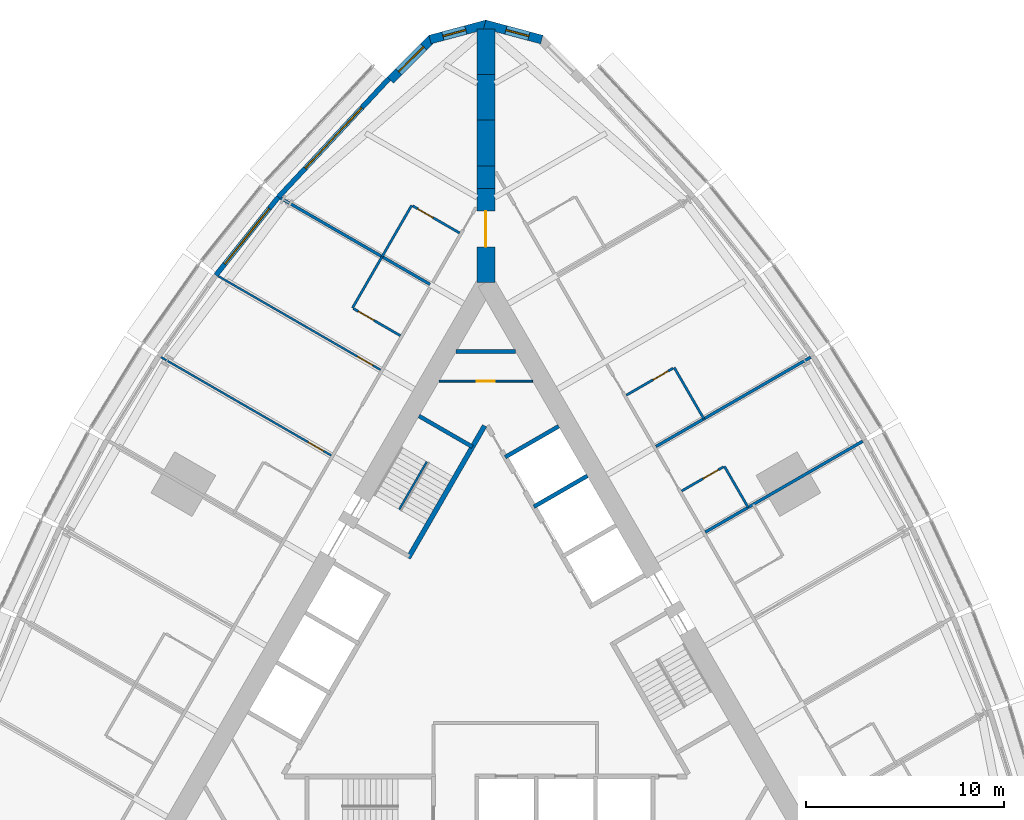
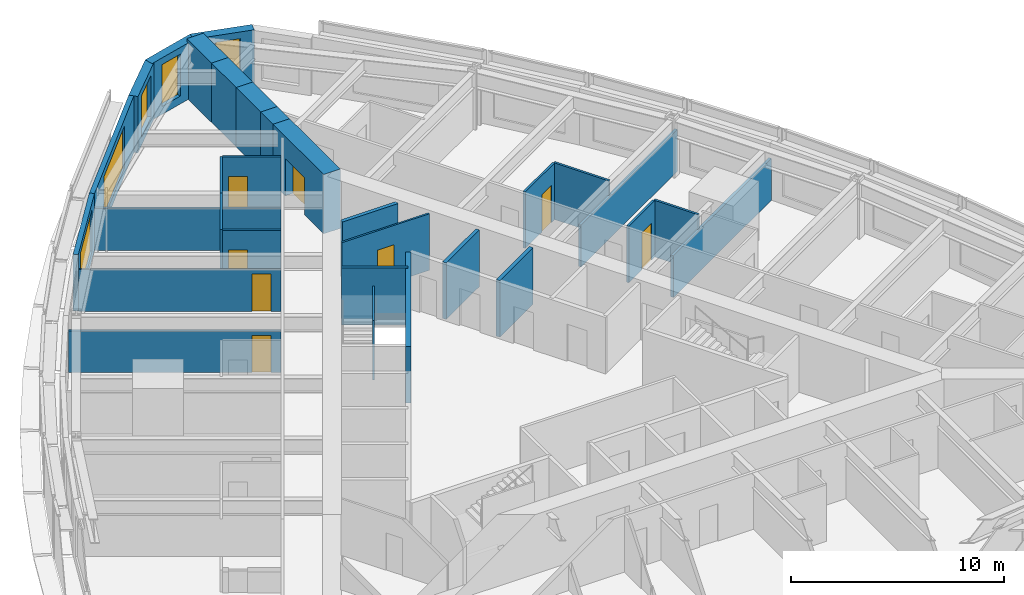
# One storey, part 12 of 14: 30 walls, 8 doors, 5 windows, 13 openings.
"""IFC4 building model written with IfcOpenShell, lengths in metres."""

import ifcopenshell
import ifcopenshell.guid

model = None  # the IFC model being written
_history = None  # IfcOwnerHistory: only IFC2X3 demands one
_inside = {}  # id of a spatial element -> (the spatial element, [elements in it])
_under = {}  # id of a project, library or spatial element -> (it, [spatial elements below it])
_declared = {}  # id of a project -> (the project, [libraries it declares])
_typed = {}  # id of a type object -> (the type object, [elements of that type])
_made_of = {}  # id of a material, layer set ... -> (it, [elements and type objects made of it])


def new_model(schema):
    """Start an empty IFC model of exactly this schema.

    Asked for "IFC4X3", IfcOpenShell would pick the latest addendum, in which some entities
    have other attributes; the version numbers below select the first issue.
    IFC2X3 requires an IfcOwnerHistory on every rooted entity: one is made here for all.
    """
    global model, _history
    if schema == "IFC4X3":
        model = ifcopenshell.file(schema_version=(4, 3, 0, 0))
    else:
        model = ifcopenshell.file(schema=schema)
    _inside.clear()
    _under.clear()
    _declared.clear()
    _typed.clear()
    _made_of.clear()
    _history = None
    if model.schema == "IFC2X3":
        org = make("IfcOrganization", Name="unknown")
        user = make(
            "IfcPersonAndOrganization",
            ThePerson=make("IfcPerson", FamilyName="unknown"),
            TheOrganization=org,
        )
        app = make(
            "IfcApplication",
            ApplicationDeveloper=org,
            Version="unknown",
            ApplicationFullName="unknown",
            ApplicationIdentifier="unknown",
        )
        _history = make(
            "IfcOwnerHistory",
            OwningUser=user,
            OwningApplication=app,
            ChangeAction="ADDED",
            CreationDate=0,
        )
    return model


def make(cls, **values):
    """One entity of the class cls with the attributes given. An attribute that is None is left unset."""
    return model.create_entity(
        cls, **{name: value for name, value in values.items() if value is not None}
    )


def rooted(cls, **values):
    """An entity with a GlobalId (a new one), such as an element, a storey or a relation."""
    return make(cls, GlobalId=ifcopenshell.guid.new(), OwnerHistory=_history, **values)


def si_unit(unit_type, name, prefix=None):
    """IfcSIUnit, for example si_unit("LENGTHUNIT", "METRE", prefix="MILLI")."""
    return make("IfcSIUnit", UnitType=unit_type, Prefix=prefix, Name=name)


def assignment(units):
    """IfcUnitAssignment: the units of a project."""
    return None if units is None else make("IfcUnitAssignment", Units=units)


def point(xyz):
    """IfcCartesianPoint."""
    return None if xyz is None else make("IfcCartesianPoint", Coordinates=xyz)


def direction(xyz):
    """IfcDirection."""
    return None if xyz is None else make("IfcDirection", DirectionRatios=xyz)


def frame(location, z_axis=None, x_axis=None):
    """IfcAxis2Placement3D, a coordinate frame: its origin and axes. An axis left out is left unset."""
    return make(
        "IfcAxis2Placement3D",
        Location=point(location),
        Axis=direction(z_axis),
        RefDirection=direction(x_axis),
    )


def frame_2d(location, x_axis=None):
    """IfcAxis2Placement2D, a coordinate frame in the plane: its origin and x axis."""
    return make(
        "IfcAxis2Placement2D", Location=point(location), RefDirection=direction(x_axis)
    )


def origin():
    """The frame at (0, 0, 0) with its axes left unset."""
    return frame((0.0, 0.0, 0.0))


def place(relative_to, where):
    """IfcLocalPlacement: puts the frame where relative to a parent placement (None: the world)."""
    return make(
        "IfcLocalPlacement", PlacementRelTo=relative_to, RelativePlacement=where
    )


def context(
    kind, dimensions, precision=None, world=None, true_north=None, identifier=None
):
    """IfcGeometricRepresentationContext, for example the 3D "Model" context."""
    return make(
        "IfcGeometricRepresentationContext",
        ContextIdentifier=identifier,
        ContextType=kind,
        CoordinateSpaceDimension=dimensions,
        Precision=precision,
        WorldCoordinateSystem=world,
        TrueNorth=true_north,
    )


def subcontext(parent, identifier, kind, view, scale=None):
    """IfcGeometricRepresentationSubContext, for example "Body" below "Model"."""
    return make(
        "IfcGeometricRepresentationSubContext",
        ContextIdentifier=identifier,
        ContextType=kind,
        ParentContext=parent,
        TargetScale=scale,
        TargetView=view,
    )


def project(units=None, contexts=None):
    """IfcProject with its units and contexts."""
    return rooted(
        "IfcProject",
        Name="project",
        RepresentationContexts=contexts,
        UnitsInContext=assignment(units),
    )


def spatial(cls, under=None, at=None, **own):
    """A site, building, storey or space (cls), placed at a placement, below another one or the project."""
    s = rooted(cls, ObjectPlacement=at, **own)
    if under is not None:
        _under.setdefault(under.id(), (under, []))[1].append(s)
    return s


def polyline(points):
    """IfcPolyline through the points."""
    return make("IfcPolyline", Points=[point(p) for p in points])


def profile(cls, at=None, kind="AREA", **sizes):
    """A parametric profile (cls). Its sizes go by their IFC names, for example OverallWidth=200.0."""
    return make(cls, ProfileType=kind, Position=at, **sizes)


def rectangle(**sizes):
    """IfcRectangleProfileDef."""
    return profile("IfcRectangleProfileDef", **sizes)


def outline(outer, holes=None, kind="AREA"):
    """IfcArbitraryClosedProfileDef: a profile drawn as a closed curve; with holes, ...WithVoids."""
    if holes is None:
        return make("IfcArbitraryClosedProfileDef", ProfileType=kind, OuterCurve=outer)
    return make(
        "IfcArbitraryProfileDefWithVoids",
        ProfileType=kind,
        OuterCurve=outer,
        InnerCurves=holes,
    )


def extrude(swept, where, along, depth):
    """IfcExtrudedAreaSolid: the profile swept, set in the frame where, extruded along a direction by depth."""
    return make(
        "IfcExtrudedAreaSolid",
        SweptArea=swept,
        Position=where,
        ExtrudedDirection=direction(along),
        Depth=depth,
    )


def shape(context_of_items, identifier, shape_type, items):
    """IfcShapeRepresentation: the items that make up one representation, for example the "Body"."""
    return make(
        "IfcShapeRepresentation",
        ContextOfItems=context_of_items,
        RepresentationIdentifier=identifier,
        RepresentationType=shape_type,
        Items=items,
    )


def material(Name=None, Category=None):
    """IfcMaterial."""
    return make("IfcMaterial", Name=Name, Category=Category)


def layer(
    of_material, thickness, ventilated=None, Name=None, Category=None, Priority=None
):
    """IfcMaterialLayer: one layer of a wall or slab, of a material (None: an air gap)."""
    return make(
        "IfcMaterialLayer",
        Material=of_material,
        LayerThickness=thickness,
        IsVentilated=ventilated,
        Name=Name,
        Category=Category,
        Priority=Priority,
    )


def layer_set(layers, Name=None):
    """IfcMaterialLayerSet."""
    return make("IfcMaterialLayerSet", MaterialLayers=layers, LayerSetName=Name)


def made_of(thing, what):
    """Note that an element or type object is made of a material, layer set ...; save() writes the relation."""
    if what is not None:
        _made_of.setdefault(what.id(), (what, []))[1].append(thing)
    return thing


def type_object(cls, material=None, **own):
    """A type object (cls), such as IfcWallType, which elements share."""
    return made_of(rooted(cls, **own), material)


def element(
    cls,
    number,
    at=None,
    inside=None,
    cuts=None,
    type_object=None,
    material=None,
    context=None,
    identifier="Body",
    shape_type=None,
    held_by="IfcProductDefinitionShape",
    body=None,
    shapes=None,
    **own,
):
    """One element of the class cls, such as IfcWall. Its Tag is "e" and its number.

    at: its placement. inside: the storey or other place that contains it. cuts: it is an
    opening in that element (IfcRelVoidsElement). A single representation is given by context,
    identifier, shape_type and body (its items); several are given by shapes. held_by: the class
    of the entity that holds the representations. save() writes the other relations.
    """
    e = rooted(cls, Tag="e%d" % number, ObjectPlacement=at, **own)
    if body is not None:
        shapes = [shape(context, identifier, shape_type, body)]
    if shapes is not None:
        e.Representation = make(held_by, Representations=shapes)
    if inside is not None:
        _inside.setdefault(inside.id(), (inside, []))[1].append(e)
    if cuts is not None:
        rooted(
            "IfcRelVoidsElement", RelatingBuildingElement=cuts, RelatedOpeningElement=e
        )
    if type_object is not None:
        _typed.setdefault(type_object.id(), (type_object, []))[1].append(e)
    return made_of(e, material)


def fill(opening, filler):
    """IfcRelFillsElement: the door or window that sits in an opening."""
    return rooted(
        "IfcRelFillsElement",
        RelatingOpeningElement=opening,
        RelatedBuildingElement=filler,
    )


def aggregate(whole, parts):
    """IfcRelAggregates: a whole, such as a stair, and the parts it consists of."""
    return rooted("IfcRelAggregates", RelatingObject=whole, RelatedObjects=parts)


def save(model, path):
    """Write the relations noted so far, then the file.

    IfcRelAggregates (storeys below a building ...), IfcRelContainedInSpatialStructure (elements
    in a storey), IfcRelDefinesByType, IfcRelAssociatesMaterial and IfcRelDeclares: one each for
    every whole, place, type object, material and project.
    """
    for whole, parts in _under.values():
        aggregate(whole, parts)
    for where, things in _inside.values():
        rooted(
            "IfcRelContainedInSpatialStructure",
            RelatedElements=things,
            RelatingStructure=where,
        )
    for kind, things in _typed.values():
        rooted("IfcRelDefinesByType", RelatedObjects=things, RelatingType=kind)
    for what, things in _made_of.values():
        rooted("IfcRelAssociatesMaterial", RelatedObjects=things, RelatingMaterial=what)
    for by, libraries in _declared.values():
        rooted("IfcRelDeclares", RelatingContext=by, RelatedDefinitions=libraries)
    model.write(path)


model = new_model("IFC4")

# Units and contexts
model_context = context("Model", 3, precision=1e-05, world=origin(), true_north=direction((0.0, 1.0)))
body_context = subcontext(model_context, "Body", "Model", "MODEL_VIEW")
ifc_project = project(units=[si_unit("LENGTHUNIT", "METRE"), si_unit("AREAUNIT", "SQUARE_METRE"), si_unit("VOLUMEUNIT", "CUBIC_METRE"), si_unit("PLANEANGLEUNIT", "RADIAN"), si_unit("MASSUNIT", "GRAM", prefix="KILO")], contexts=[model_context])

# Site, building, storey
site_placement = place(None, origin())
site = spatial("IfcSite", under=ifc_project, at=site_placement, CompositionType="ELEMENT")
building_placement = place(site_placement, origin())
building = spatial("IfcBuilding", under=site, at=building_placement, Name="Trikona Tower", CompositionType="ELEMENT")
storey_placement = place(building_placement, frame((0.0, 0.0, 86.300048828125)))
storey = spatial("IfcBuildingStorey", under=building, at=storey_placement, Name="L22", CompositionType="ELEMENT", Elevation=86.300048828125)

# Wall
ifc_material_1 = material(Name="Metal stud and cement board", Category="gypsum")
ifc_layer_1 = layer(ifc_material_1, 0.1201171875)
ifc_layer_set_1 = layer_set([ifc_layer_1], Name="Bathroom wall 120")
wall_type_1 = type_object("IfcWallType", Name="Bathroom wall 120", PredefinedType="PLUMBINGWALL", material=ifc_layer_set_1)
wall_1_placement = place(storey_placement, frame((13.27294921875, 7.6630859375, 0.0), z_axis=(0.0, 0.0, 1.0), x_axis=(-0.499957262057, 0.866050077142, 0.0)))
element("IfcWall", 1, at=wall_1_placement, inside=storey, type_object=wall_type_1, Name="Bathroom wall 2210", PredefinedType="PLUMBINGWALL", context=body_context, shape_type="SweptSolid", body=[
    extrude(rectangle(XDim=2.400146484375, YDim=0.1201171875, at=frame_2d((1.2001953125, 0.0))), origin(), (0.0, 0.0, 1.0), 3.23486328125),
])

# Wall, opening, door
wall_2_placement = place(storey_placement, frame((9.907958984375, 8.49169921875, 0.0), z_axis=(0.0, 0.0, 1.0), x_axis=(0.866023955769, 0.500002508028, 0.0)))
wall_2 = element("IfcWall", 2, at=wall_2_placement, inside=storey, type_object=wall_type_1, Name="Bathroom wall 2210", PredefinedType="PLUMBINGWALL", context=body_context, shape_type="SweptSolid", body=[
    extrude(rectangle(XDim=2.43994140625, YDim=0.1201171875, at=frame_2d((1.219970703125, 0.0))), origin(), (0.0, 0.0, 1.0), 3.23486328125),
])
opening_1_placement = place(wall_2_placement, frame((1.25, 0.0, 0.0)))
opening_1 = element("IfcOpeningElement", 3, at=opening_1_placement, cuts=wall_2, Name="Opening D2", PredefinedType="OPENING", context=body_context, shape_type="SweptSolid", body=[
    extrude(rectangle(XDim=0.89990234375, YDim=2.1298828125, at=frame_2d((0.449951171875, 1.06494140625))), frame((0.0, 0.070068359375, 0.0), z_axis=(0.0, -1.0, 0.0), x_axis=(1.0, 0.0, 0.0)), (0.0, 0.0, 1.0), 0.14013671875),
])
ifc_material_2 = material(Name="Steel door frame with solid-core timber leaf", Category="steel")
door_type_1 = type_object("IfcDoorType", Name="Bathroom door 900x2130", OperationType="SLIDING_TO_LEFT", PredefinedType="DOOR", material=ifc_material_2)
door_1_placement = place(opening_1_placement, origin())
door_1 = element("IfcDoor", 4, at=door_1_placement, inside=storey, type_object=door_type_1, Name="Bathroom door 2210", OperationType="SLIDING_TO_LEFT", OverallHeight=2.1298828125, OverallWidth=0.89990234375, PredefinedType="DOOR", context=body_context, shape_type="SweptSolid", body=[
    extrude(rectangle(XDim=0.89990234375, YDim=2.1298828125, at=frame_2d((0.449951171875, 1.06494140625))), frame((0.0, 0.02490234375, 0.0), z_axis=(0.0, -1.0, 0.0), x_axis=(1.0, 0.0, 0.0)), (0.0, 0.0, 1.0), 0.050048828125),
])
fill(opening_1, door_1)

# Wall
wall_3_placement = place(storey_placement, frame((11.03271484375, 12.143310546875, 0.0), z_axis=(0.0, 0.0, 1.0), x_axis=(-0.50002537861, 0.866010750942, 0.0)))
element("IfcWall", 5, at=wall_3_placement, inside=storey, type_object=wall_type_1, Name="Bathroom wall 2211", PredefinedType="PLUMBINGWALL", context=body_context, shape_type="SweptSolid", body=[
    extrude(rectangle(XDim=2.999755859375, YDim=0.1201171875, at=frame_2d((1.5, 0.0))), origin(), (0.0, 0.0, 1.0), 3.23486328125),
])

# Wall, opening, door
wall_4_placement = place(storey_placement, frame((7.10791015625, 13.34130859375, 0.0), z_axis=(0.0, 0.0, 1.0), x_axis=(0.866035715982, 0.499982138324, 0.0)))
wall_4 = element("IfcWall", 6, at=wall_4_placement, inside=storey, type_object=wall_type_1, Name="Bathroom wall 2211", PredefinedType="PLUMBINGWALL", context=body_context, shape_type="SweptSolid", body=[
    extrude(rectangle(XDim=2.73974609375, YDim=0.1201171875, at=frame_2d((1.369873046875, 0.0))), origin(), (0.0, 0.0, 1.0), 3.23486328125),
])
opening_2_placement = place(wall_4_placement, frame((1.550048828125, 0.0, 0.0)))
opening_2 = element("IfcOpeningElement", 7, at=opening_2_placement, cuts=wall_4, Name="Opening D2", PredefinedType="OPENING", context=body_context, shape_type="SweptSolid", body=[
    extrude(rectangle(XDim=0.89990234375, YDim=2.1298828125, at=frame_2d((0.449951171875, 1.06494140625))), frame((0.0, 0.070068359375, 0.0), z_axis=(0.0, -1.0, 0.0), x_axis=(1.0, 0.0, 0.0)), (0.0, 0.0, 1.0), 0.14013671875),
])
door_2_placement = place(opening_2_placement, origin())
door_2 = element("IfcDoor", 8, at=door_2_placement, inside=storey, type_object=door_type_1, Name="Bathroom door 2211", OperationType="SLIDING_TO_LEFT", OverallHeight=2.1298828125, OverallWidth=0.89990234375, PredefinedType="DOOR", context=body_context, shape_type="SweptSolid", body=[
    extrude(rectangle(XDim=0.89990234375, YDim=2.1298828125, at=frame_2d((0.449951171875, 1.06494140625))), frame((0.0, 0.02490234375, 0.0), z_axis=(0.0, -1.0, 0.0), x_axis=(1.0, 0.0, 0.0)), (0.0, 0.0, 1.0), 0.050048828125),
])
fill(opening_2, door_2)

# Wall
wall_5_placement = place(storey_placement, frame((-3.75341796875, 22.95166015625, 0.0), z_axis=(0.0, 0.0, 1.0), x_axis=(-0.499990139034, -0.866031096941, 0.0)))
element("IfcWall", 9, at=wall_5_placement, inside=storey, type_object=wall_type_1, Name="Bathroom wall 2213", PredefinedType="PLUMBINGWALL", context=body_context, shape_type="SweptSolid", body=[
    extrude(rectangle(XDim=3.0, YDim=0.1201171875, at=frame_2d((1.5, 0.0))), origin(), (0.0, 0.0, 1.0), 3.23486328125),
])

# Wall, opening, door
wall_6_placement = place(storey_placement, frame((-1.32861328125, 21.551513671875, 0.0), z_axis=(0.0, 0.0, 1.0), x_axis=(-0.865997131366, 0.500048966069, 0.0)))
wall_6 = element("IfcWall", 10, at=wall_6_placement, inside=storey, type_object=wall_type_1, Name="Bathroom wall 2213", PredefinedType="PLUMBINGWALL", context=body_context, shape_type="SweptSolid", body=[
    extrude(rectangle(XDim=2.739990234375, YDim=0.1201171875, at=frame_2d((1.3701171875, 0.0))), origin(), (0.0, 0.0, 1.0), 3.23486328125),
])
opening_3_placement = place(wall_6_placement, frame((1.550048828125, 0.0, 0.0)))
opening_3 = element("IfcOpeningElement", 11, at=opening_3_placement, cuts=wall_6, Name="Opening D2", PredefinedType="OPENING", context=body_context, shape_type="SweptSolid", body=[
    extrude(rectangle(XDim=0.89990234375, YDim=2.1298828125, at=frame_2d((0.449951171875, 1.06494140625))), frame((0.0, 0.070068359375, 0.0), z_axis=(0.0, -1.0, 0.0), x_axis=(1.0, 0.0, 0.0)), (0.0, 0.0, 1.0), 0.14013671875),
])
door_3_placement = place(opening_3_placement, origin())
door_3 = element("IfcDoor", 12, at=door_3_placement, inside=storey, type_object=door_type_1, Name="Bathroom door 2213", OperationType="SLIDING_TO_LEFT", OverallHeight=2.1298828125, OverallWidth=0.89990234375, PredefinedType="DOOR", context=body_context, shape_type="SweptSolid", body=[
    extrude(rectangle(XDim=0.89990234375, YDim=2.1298828125, at=frame_2d((0.449951171875, 1.06494140625))), frame((0.0, 0.02490234375, 0.0), z_axis=(0.0, -1.0, 0.0), x_axis=(1.0, 0.0, 0.0)), (0.0, 0.0, 1.0), 0.050048828125),
])
fill(opening_3, door_3)

# Wall
wall_7_placement = place(storey_placement, frame((-5.25341796875, 20.353515625, 0.0), z_axis=(0.0, 0.0, 1.0), x_axis=(-0.499990139034, -0.866031096941, 0.0)))
element("IfcWall", 13, at=wall_7_placement, inside=storey, type_object=wall_type_1, Name="Bathroom wall 2214.1", PredefinedType="PLUMBINGWALL", context=body_context, shape_type="SweptSolid", body=[
    extrude(rectangle(XDim=3.0, YDim=0.1201171875, at=frame_2d((1.5, 0.0))), origin(), (0.0, 0.0, 1.0), 3.23486328125),
])

# Wall, opening, door
wall_8_placement = place(storey_placement, frame((-4.32861328125, 16.35546875, 0.0), z_axis=(0.0, 0.0, 1.0), x_axis=(-0.866035715982, 0.499982138324, 0.0)))
wall_8 = element("IfcWall", 14, at=wall_8_placement, inside=storey, type_object=wall_type_1, Name="Bathroom wall 2214.1", PredefinedType="PLUMBINGWALL", context=body_context, shape_type="SweptSolid", body=[
    extrude(rectangle(XDim=2.73974609375, YDim=0.1201171875, at=frame_2d((1.369873046875, 0.0))), origin(), (0.0, 0.0, 1.0), 3.23486328125),
])
opening_4_placement = place(wall_8_placement, frame((1.550048828125, 0.0, 0.0)))
opening_4 = element("IfcOpeningElement", 15, at=opening_4_placement, cuts=wall_8, Name="Opening D2", PredefinedType="OPENING", context=body_context, shape_type="SweptSolid", body=[
    extrude(rectangle(XDim=0.89990234375, YDim=2.1298828125, at=frame_2d((0.449951171875, 1.06494140625))), frame((0.0, 0.070068359375, 0.0), z_axis=(0.0, -1.0, 0.0), x_axis=(1.0, 0.0, 0.0)), (0.0, 0.0, 1.0), 0.14013671875),
])
door_4_placement = place(opening_4_placement, origin())
door_4 = element("IfcDoor", 16, at=door_4_placement, inside=storey, type_object=door_type_1, Name="Bathroom door 2214.1", OperationType="SLIDING_TO_LEFT", OverallHeight=2.1298828125, OverallWidth=0.89990234375, PredefinedType="DOOR", context=body_context, shape_type="SweptSolid", body=[
    extrude(rectangle(XDim=0.89990234375, YDim=2.1298828125, at=frame_2d((0.449951171875, 1.06494140625))), frame((0.0, 0.02490234375, 0.0), z_axis=(0.0, -1.0, 0.0), x_axis=(1.0, 0.0, 0.0)), (0.0, 0.0, 1.0), 0.050048828125),
])
fill(opening_4, door_4)

# Wall, opening, window
ifc_material_3 = material(Name="Brick-faced precast concrete", Category="masonry")
ifc_layer_2 = layer(ifc_material_3, 0.449951171875)
ifc_layer_set_2 = layer_set([ifc_layer_2], Name="Brick-faced corner wall 450")
wall_type_2 = type_object("IfcWallType", Name="Brick-faced corner wall 450", PredefinedType="SOLIDWALL", material=ifc_layer_set_2)
wall_9_placement = place(storey_placement, frame((2.82861328125, 31.3408203125, 0.0), z_axis=(0.0, 0.0, 1.0), x_axis=(-0.965930548995, 0.258801419081, 0.0)))
wall_9 = element("IfcWall", 17, at=wall_9_placement, inside=storey, type_object=wall_type_2, Name="External wall L22-21", PredefinedType="SOLIDWALL", context=body_context, shape_type="SweptSolid", body=[
    extrude(outline(polyline([(2.988525390625, 0.22509765625), (2.92919921875, 0.22509765625), (2.4375, 0.09326171875), (2.40234375, 0.22509765625), (0.0, 0.22509765625), (0.0, -0.22509765625), (2.988525390625, -0.22509765625), (2.988525390625, 0.22509765625)])), origin(), (0.0, 0.0, 1.0), 3.23486328125),
])
opening_5_placement = place(wall_9_placement, frame((0.676025390625, 0.0, 0.449951171875)))
opening_5 = element("IfcOpeningElement", 18, at=opening_5_placement, cuts=wall_9, Name="Opening W1224", PredefinedType="OPENING", context=body_context, shape_type="SweptSolid", body=[
    extrude(rectangle(XDim=1.199951171875, YDim=2.39990234375, at=frame_2d((0.60009765625, 1.199951171875))), frame((0.0, 0.23486328125, 0.0), z_axis=(0.0, -1.0, 0.0), x_axis=(1.0, 0.0, 0.0)), (0.0, 0.0, 1.0), 0.469970703125),
])
ifc_material_4 = material(Name="Aluminium-framed double glazing", Category="aluminium")
window_type_1 = type_object("IfcWindowType", Name="Window 1200x2400", PartitioningType="SINGLE_PANEL", PredefinedType="WINDOW", material=ifc_material_4)
window_1_placement = place(opening_5_placement, origin())
window_1 = element("IfcWindow", 19, at=window_1_placement, inside=storey, type_object=window_type_1, Name="Window 2212", OverallHeight=2.39990234375, OverallWidth=1.199951171875, PartitioningType="SINGLE_PANEL", PredefinedType="WINDOW", context=body_context, shape_type="SweptSolid", body=[
    extrude(rectangle(XDim=1.199951171875, YDim=2.39990234375, at=frame_2d((0.60009765625, 1.199951171875))), frame((0.0, 0.030029296875, 0.0), z_axis=(0.0, -1.0, 0.0), x_axis=(1.0, 0.0, 0.0)), (0.0, 0.0, 1.0), 0.06005859375),
])
fill(opening_5, window_1)

wall_10_placement = place(storey_placement, frame((0.05810546875, 32.1142578125, 0.0), z_axis=(0.0, 0.0, 1.0), x_axis=(-0.965930548995, -0.258801419081, 0.0)))
wall_10 = element("IfcWall", 20, at=wall_10_placement, inside=storey, type_object=wall_type_2, Name="External wall L22-22", PredefinedType="SOLIDWALL", context=body_context, shape_type="SweptSolid", body=[
    extrude(outline(polyline([(2.988525390625, 0.22509765625), (0.58642578125, 0.22509765625), (0.551025390625, 0.09326171875), (0.059326171875, 0.22509765625), (0.0, 0.22509765625), (0.0, -0.22509765625), (2.988525390625, -0.22509765625), (2.988525390625, 0.22509765625)])), origin(), (0.0, 0.0, 1.0), 3.23486328125),
])
opening_6_placement = place(wall_10_placement, frame((1.112548828125, 0.0, 0.449951171875)))
opening_6 = element("IfcOpeningElement", 21, at=opening_6_placement, cuts=wall_10, Name="Opening W1224", PredefinedType="OPENING", context=body_context, shape_type="SweptSolid", body=[
    extrude(rectangle(XDim=1.199951171875, YDim=2.39990234375, at=frame_2d((0.60009765625, 1.199951171875))), frame((0.0, 0.23486328125, 0.0), z_axis=(0.0, -1.0, 0.0), x_axis=(1.0, 0.0, 0.0)), (0.0, 0.0, 1.0), 0.469970703125),
])
window_2_placement = place(opening_6_placement, origin())
window_2 = element("IfcWindow", 22, at=window_2_placement, inside=storey, type_object=window_type_1, Name="Window 2213", OverallHeight=2.39990234375, OverallWidth=1.199951171875, PartitioningType="SINGLE_PANEL", PredefinedType="WINDOW", context=body_context, shape_type="SweptSolid", body=[
    extrude(rectangle(XDim=1.199951171875, YDim=2.39990234375, at=frame_2d((0.60009765625, 1.199951171875))), frame((0.0, 0.030029296875, 0.0), z_axis=(0.0, -1.0, 0.0), x_axis=(1.0, 0.0, 0.0)), (0.0, 0.0, 1.0), 0.06005859375),
])
fill(opening_6, window_2)

wall_11_placement = place(storey_placement, frame((-2.727783203125, 31.39892578125, 0.0), z_axis=(0.0, 0.0, 1.0), x_axis=(-0.707106781187, -0.707106781187, 0.0)))
wall_11 = element("IfcWall", 23, at=wall_11_placement, inside=storey, type_object=wall_type_2, Name="External wall L22-23", PredefinedType="SOLIDWALL", context=body_context, shape_type="SweptSolid", body=[
    extrude(rectangle(XDim=2.98828125, YDim=0.449951171875, at=frame_2d((1.494140625, 0.0))), origin(), (0.0, 0.0, 1.0), 3.23486328125),
])
opening_7_placement = place(wall_11_placement, frame((0.59423828125, 0.0, 0.449951171875)))
opening_7 = element("IfcOpeningElement", 24, at=opening_7_placement, cuts=wall_11, Name="Opening W1824", PredefinedType="OPENING", context=body_context, shape_type="SweptSolid", body=[
    extrude(rectangle(XDim=1.800048828125, YDim=2.39990234375, at=frame_2d((0.89990234375, 1.199951171875))), frame((0.0, 0.23486328125, 0.0), z_axis=(0.0, -1.0, 0.0), x_axis=(1.0, 0.0, 0.0)), (0.0, 0.0, 1.0), 0.469970703125),
])
ifc_material_5 = material(Name="Aluminium-framed double glazing", Category="aluminium")
window_type_2 = type_object("IfcWindowType", Name="Window 1800x2400", PartitioningType="SINGLE_PANEL", PredefinedType="WINDOW", material=ifc_material_5)
window_3_placement = place(opening_7_placement, origin())
window_3 = element("IfcWindow", 25, at=window_3_placement, inside=storey, type_object=window_type_2, Name="Window 2213", OverallHeight=2.39990234375, OverallWidth=1.800048828125, PartitioningType="SINGLE_PANEL", PredefinedType="WINDOW", context=body_context, shape_type="SweptSolid", body=[
    extrude(rectangle(XDim=1.800048828125, YDim=2.39990234375, at=frame_2d((0.89990234375, 1.199951171875))), frame((0.0, 0.030029296875, 0.0), z_axis=(0.0, -1.0, 0.0), x_axis=(1.0, 0.0, 0.0)), (0.0, 0.0, 1.0), 0.06005859375),
])
fill(opening_7, window_3)

# Wall, opening, door
ifc_material_6 = material(Name="Concrete f'c 10000 psi", Category="concrete")
ifc_layer_3 = layer(ifc_material_6, 0.89990234375)
ifc_layer_set_3 = layer_set([ifc_layer_3], Name="Buttress wall 900")
wall_type_3 = type_object("IfcWallType", Name="Buttress wall 900", PredefinedType="SHEAR", material=ifc_layer_set_3)
wall_12_placement = place(storey_placement, frame((0.0, 19.052490234375, 0.0), z_axis=(0.0, 0.0, 1.0), x_axis=(0.0, 1.0, 0.0)))
wall_12 = element("IfcWall", 26, at=wall_12_placement, inside=storey, type_object=wall_type_3, Name="Buttress wall 2", PredefinedType="SHEAR", context=body_context, shape_type="SweptSolid", body=[
    extrude(rectangle(XDim=4.74609375, YDim=0.89990234375, at=frame_2d((2.373046875, 0.0))), origin(), (0.0, 0.0, 1.0), 3.39990234375),
])
opening_8_placement = place(wall_12_placement, frame((1.800048828125, 0.0, 0.0)))
opening_8 = element("IfcOpeningElement", 27, at=opening_8_placement, cuts=wall_12, Name="Opening D10", PredefinedType="OPENING", context=body_context, shape_type="SweptSolid", body=[
    extrude(rectangle(XDim=1.800048828125, YDim=2.1298828125, at=frame_2d((0.89990234375, 1.06494140625))), frame((0.0, 0.4599609375, 0.0), z_axis=(0.0, -1.0, 0.0), x_axis=(1.0, 0.0, 0.0)), (0.0, 0.0, 1.0), 0.919921875),
])
ifc_material_7 = material(Name="Hollow metal door and frame", Category="steel")
door_type_2 = type_object("IfcDoorType", Name="Cross-corridor door pair 1800x2130", OperationType="DOUBLE_DOOR_DOUBLE_SWING", PredefinedType="DOOR", material=ifc_material_7)
door_5_placement = place(opening_8_placement, origin())
door_5 = element("IfcDoor", 28, at=door_5_placement, inside=storey, type_object=door_type_2, Name="Cross-corridor door 2", OperationType="DOUBLE_DOOR_DOUBLE_SWING", OverallHeight=2.1298828125, OverallWidth=1.800048828125, PredefinedType="DOOR", context=body_context, shape_type="SweptSolid", body=[
    extrude(rectangle(XDim=1.800048828125, YDim=2.1298828125, at=frame_2d((0.89990234375, 1.06494140625))), frame((0.0, 0.02490234375, 0.0), z_axis=(0.0, -1.0, 0.0), x_axis=(1.0, 0.0, 0.0)), (0.0, 0.0, 1.0), 0.050048828125),
])
fill(opening_8, door_5)

# Walls
wall_13_placement = place(storey_placement, frame((0.0, 23.798583984375, 0.0), z_axis=(0.0, 0.0, 1.0), x_axis=(0.0, 1.0, 0.0)))
element("IfcWall", 29, at=wall_13_placement, inside=storey, type_object=wall_type_3, Name="Buttress wall 2 part 2", PredefinedType="SHEAR", context=body_context, shape_type="SweptSolid", body=[
    extrude(rectangle(XDim=1.15478515625, YDim=0.89990234375, at=frame_2d((0.577392578125, 0.0))), origin(), (0.0, 0.0, 1.0), 3.39990234375),
])
wall_14_placement = place(storey_placement, frame((0.0, 24.953369140625, 0.0), z_axis=(0.0, 0.0, 1.0), x_axis=(0.0, 1.0, 0.0)))
element("IfcWall", 30, at=wall_14_placement, inside=storey, type_object=wall_type_3, Name="Buttress wall 2 part 3", PredefinedType="SHEAR", context=body_context, shape_type="SweptSolid", body=[
    extrude(rectangle(XDim=2.309326171875, YDim=0.89990234375, at=frame_2d((1.15478515625, 0.0))), origin(), (0.0, 0.0, 1.0), 3.39990234375),
])
wall_15_placement = place(storey_placement, frame((0.0, 27.2626953125, 0.0), z_axis=(0.0, 0.0, 1.0), x_axis=(0.0, 1.0, 0.0)))
element("IfcWall", 31, at=wall_15_placement, inside=storey, type_object=wall_type_3, Name="Buttress wall 2 part 4", PredefinedType="SHEAR", context=body_context, shape_type="SweptSolid", body=[
    extrude(rectangle(XDim=2.3095703125, YDim=0.89990234375, at=frame_2d((1.15478515625, 0.0))), origin(), (0.0, 0.0, 1.0), 3.39990234375),
])
wall_16_placement = place(storey_placement, frame((0.0, 29.572265625, 0.0), z_axis=(0.0, 0.0, 1.0), x_axis=(0.0, 1.0, 0.0)))
element("IfcWall", 32, at=wall_16_placement, inside=storey, type_object=wall_type_3, Name="Buttress wall 2 part 5", PredefinedType="SHEAR", context=body_context, shape_type="SweptSolid", body=[
    extrude(rectangle(XDim=2.309326171875, YDim=0.89990234375, at=frame_2d((1.15478515625, 0.0))), origin(), (0.0, 0.0, 1.0), 3.39990234375),
])
ifc_material_8 = material(Name="Concrete f'c 8000 psi", Category="concrete")
ifc_layer_4 = layer(ifc_material_8, 0.25)
ifc_layer_set_4 = layer_set([ifc_layer_4], Name="Hub wall 250")
wall_type_4 = type_object("IfcWallType", Name="Hub wall 250", PredefinedType="SOLIDWALL", material=ifc_layer_set_4)
wall_17_placement = place(storey_placement, frame((-0.0625, 11.794189453125, 0.0), z_axis=(0.0, 0.0, 1.0), x_axis=(-0.500006680225, -0.86602154692, 0.0)))
element("IfcWall", 33, at=wall_17_placement, inside=storey, type_object=wall_type_4, Name="Lift lobby wall C1", PredefinedType="SOLIDWALL", context=body_context, shape_type="SweptSolid", body=[
    extrude(rectangle(XDim=7.73291015625, YDim=0.25, at=frame_2d((3.866455078125, 0.0))), origin(), (0.0, 0.0, 1.0), 3.23486328125),
])

# Wall, opening, window
ifc_material_9 = material(Name="Insulated precast concrete spandrel panel", Category="concrete")
ifc_layer_5 = layer(ifc_material_9, 0.25)
ifc_layer_set_5 = layer_set([ifc_layer_5], Name="Inner skin wall 250")
wall_type_5 = type_object("IfcWallType", Name="Inner skin wall 250", PredefinedType="STANDARD", material=ifc_layer_set_5)
wall_18_placement = place(storey_placement, frame((-4.90869140625, 29.359619140625, 0.0), z_axis=(0.0, 0.0, 1.0), x_axis=(-0.682289646561, -0.731081964075, 0.0)))
wall_18 = element("IfcWall", 34, at=wall_18_placement, inside=storey, type_object=wall_type_5, Name="External wall L22-24", PredefinedType="STANDARD", context=body_context, shape_type="SweptSolid", body=[
    extrude(rectangle(XDim=8.2109375, YDim=0.25, at=frame_2d((4.10546875, 0.0))), origin(), (0.0, 0.0, 1.0), 3.23486328125),
])
opening_9_placement = place(wall_18_placement, frame((2.005615234375, 0.0, 0.449951171875)))
opening_9 = element("IfcOpeningElement", 35, at=opening_9_placement, cuts=wall_18, Name="Opening W4224", PredefinedType="OPENING", context=body_context, shape_type="SweptSolid", body=[
    extrude(rectangle(XDim=4.199951171875, YDim=2.39990234375, at=frame_2d((2.10009765625, 1.199951171875))), frame((0.0, 0.135009765625, 0.0), z_axis=(0.0, -1.0, 0.0), x_axis=(1.0, 0.0, 0.0)), (0.0, 0.0, 1.0), 0.27001953125),
])
ifc_material_10 = material(Name="Aluminium-framed double glazing", Category="aluminium")
window_type_3 = type_object("IfcWindowType", Name="Window 4200x2400", PartitioningType="SINGLE_PANEL", PredefinedType="WINDOW", material=ifc_material_10)
window_4_placement = place(opening_9_placement, origin())
window_4 = element("IfcWindow", 36, at=window_4_placement, inside=storey, type_object=window_type_3, Name="Window 2213", OverallHeight=2.39990234375, OverallWidth=4.199951171875, PartitioningType="SINGLE_PANEL", PredefinedType="WINDOW", context=body_context, shape_type="SweptSolid", body=[
    extrude(rectangle(XDim=4.199951171875, YDim=2.39990234375, at=frame_2d((2.10009765625, 1.199951171875))), frame((0.0, 0.030029296875, 0.0), z_axis=(0.0, -1.0, 0.0), x_axis=(1.0, 0.0, 0.0)), (0.0, 0.0, 1.0), 0.06005859375),
])
fill(opening_9, window_4)

wall_19_placement = place(storey_placement, frame((-10.5048828125, 23.36376953125, 0.0), z_axis=(0.0, 0.0, 1.0), x_axis=(-0.624594965756, -0.780948864364, 0.0)))
wall_19 = element("IfcWall", 37, at=wall_19_placement, inside=storey, type_object=wall_type_5, Name="External wall L22-25", PredefinedType="STANDARD", context=body_context, shape_type="SweptSolid", body=[
    extrude(rectangle(XDim=5.0576171875, YDim=0.25, at=frame_2d((2.52880859375, 0.0))), origin(), (0.0, 0.0, 1.0), 3.23486328125),
])
opening_10_placement = place(wall_19_placement, frame((0.728759765625, 0.0, 0.449951171875)))
opening_10 = element("IfcOpeningElement", 38, at=opening_10_placement, cuts=wall_19, Name="Opening W3624", PredefinedType="OPENING", context=body_context, shape_type="SweptSolid", body=[
    extrude(rectangle(XDim=3.60009765625, YDim=2.39990234375, at=frame_2d((1.800048828125, 1.199951171875))), frame((0.0, 0.135009765625, 0.0), z_axis=(0.0, -1.0, 0.0), x_axis=(1.0, 0.0, 0.0)), (0.0, 0.0, 1.0), 0.27001953125),
])
ifc_material_11 = material(Name="Aluminium-framed double glazing", Category="aluminium")
window_type_4 = type_object("IfcWindowType", Name="Window 3600x2400", PartitioningType="SINGLE_PANEL", PredefinedType="WINDOW", material=ifc_material_11)
window_5_placement = place(opening_10_placement, origin())
window_5 = element("IfcWindow", 39, at=window_5_placement, inside=storey, type_object=window_type_4, Name="Window 2214.1", OverallHeight=2.39990234375, OverallWidth=3.60009765625, PartitioningType="SINGLE_PANEL", PredefinedType="WINDOW", context=body_context, shape_type="SweptSolid", body=[
    extrude(rectangle(XDim=3.60009765625, YDim=2.39990234375, at=frame_2d((1.800048828125, 1.199951171875))), frame((0.0, 0.030029296875, 0.0), z_axis=(0.0, -1.0, 0.0), x_axis=(1.0, 0.0, 0.0)), (0.0, 0.0, 1.0), 0.06005859375),
])
fill(opening_10, window_5)

# Walls
ifc_material_12 = material(Name="Metal stud and gypsum board, 1-hour acoustic", Category="gypsum")
ifc_layer_6 = layer(ifc_material_12, 0.14990234375)
ifc_layer_set_6 = layer_set([ifc_layer_6], Name="Party wall 150")
wall_type_6 = type_object("IfcWallType", Name="Party wall 150", PredefinedType="PARTITIONING", material=ifc_layer_set_6)
wall_20_placement = place(storey_placement, frame((11.10791015625, 6.4130859375, 0.0), z_axis=(0.0, 0.0, 1.0), x_axis=(0.866022450903, 0.500005114506, 0.0)))
element("IfcWall", 40, at=wall_20_placement, inside=storey, type_object=wall_type_6, Name="Partition L22 F2 u0", PredefinedType="PARTITIONING", context=body_context, shape_type="SweptSolid", body=[
    extrude(rectangle(XDim=9.1962890625, YDim=0.14990234375, at=frame_2d((4.59814453125, 0.0))), origin(), (0.0, 0.0, 1.0), 2.38916015625),
])
wall_21_placement = place(storey_placement, frame((8.60791015625, 10.743408203125, 0.0), z_axis=(0.0, 0.0, 1.0), x_axis=(0.866028232062, 0.499995101247, 0.0)))
element("IfcWall", 41, at=wall_21_placement, inside=storey, type_object=wall_type_6, Name="Partition L22 F2 u5", PredefinedType="PARTITIONING", context=body_context, shape_type="SweptSolid", body=[
    extrude(rectangle(XDim=9.04296875, YDim=0.14990234375, at=frame_2d((4.521484375, 0.0))), origin(), (0.0, 0.0, 1.0), 2.38916015625),
])
wall_22_placement = place(storey_placement, frame((-2.82861328125, 18.95361328125, 0.0), z_axis=(0.0, 0.0, 1.0), x_axis=(-0.866020536561, 0.500008430184, 0.0)))
element("IfcWall", 42, at=wall_22_placement, inside=storey, type_object=wall_type_6, Name="Partition L22 F3 u-15", PredefinedType="PARTITIONING", context=body_context, shape_type="SweptSolid", body=[
    extrude(rectangle(XDim=8.719970703125, YDim=0.14990234375, at=frame_2d((4.35986328125, 0.0))), origin(), (0.0, 0.0, 1.0), 2.38916015625),
])
ifc_material_13 = material(Name="Concrete f'c 8000 psi", Category="concrete")
ifc_layer_7 = layer(ifc_material_13, 0.199951171875)
ifc_layer_set_7 = layer_set([ifc_layer_7], Name="Shaft wall 200")
wall_type_7 = type_object("IfcWallType", Name="Shaft wall 200", PredefinedType="SOLIDWALL", material=ifc_layer_set_7)
for number, where, z_axis, x_axis, name in (
    (43, (2.428955078125, 7.695556640625, 0.0), (0.0, 0.0, 1.0), (0.866022959057, 0.500004234368, 0.0), "Shaft wall B5"),
    (44, (0.97900390625, 10.20703125, 0.0), (0.0, 0.0, 1.0), (0.866022959057, 0.500004234368, 0.0), "Shaft wall B6"),
):
    element("IfcWall", number, at=place(storey_placement, frame(where, z_axis=z_axis, x_axis=x_axis)), inside=storey, type_object=wall_type_7, Name=name, PredefinedType="SOLIDWALL", context=body_context, shape_type="SweptSolid", body=[
        extrude(rectangle(XDim=3.125, YDim=0.199951171875, at=frame_2d((1.5625, 0.0))), origin(), (0.0, 0.0, 1.0), 3.23486328125),
    ])
wall_23_placement = place(storey_placement, frame((-1.501220703125, 15.552490234375, 0.0), z_axis=(0.0, 0.0, 1.0), x_axis=(1.0, 0.0, 0.0)))
element("IfcWall", 45, at=wall_23_placement, inside=storey, type_object=wall_type_7, Name="Riser wall L22-RS2", PredefinedType="SOLIDWALL", context=body_context, shape_type="SweptSolid", body=[
    extrude(rectangle(XDim=3.00244140625, YDim=0.199951171875, at=frame_2d((1.501220703125, 0.0))), origin(), (0.0, 0.0, 1.0), 3.23486328125),
])
ifc_material_14 = material(Name="Concrete f'c 8000 psi", Category="concrete")
ifc_layer_8 = layer(ifc_material_14, 0.199951171875)
ifc_layer_set_8 = layer_set([ifc_layer_8], Name="Shaft wall 200 load-bearing")
wall_type_8 = type_object("IfcWallType", Name="Shaft wall 200 load-bearing", PredefinedType="SOLIDWALL", material=ifc_layer_set_8)
wall_24_placement = place(storey_placement, frame((-0.678955078125, 10.7265625, 0.0), z_axis=(0.0, 0.0, 1.0), x_axis=(-0.866022959057, 0.500004234368, 0.0)))
element("IfcWall", 46, at=wall_24_placement, inside=storey, type_object=wall_type_8, Name="Shaft wall C1", PredefinedType="SOLIDWALL", context=body_context, shape_type="SweptSolid", body=[
    extrude(rectangle(XDim=3.125, YDim=0.199951171875, at=frame_2d((1.5625, 0.0))), origin(), (0.0, 0.0, 1.0), 3.23486328125),
])
ifc_material_15 = material(Name="Concrete f'c 5000 psi", Category="concrete")
ifc_layer_9 = layer(ifc_material_15, 0.10009765625)
ifc_layer_set_9 = layer_set([ifc_layer_9], Name="Stair spine wall 100")
wall_type_9 = type_object("IfcWallType", Name="Stair spine wall 100", PredefinedType="SOLIDWALL", material=ifc_layer_set_9)
wall_25_placement = place(storey_placement, frame((-2.98779296875, 9.9775390625, 0.0), z_axis=(0.0, 0.0, 1.0), x_axis=(-0.499992232847, -0.866029888106, 0.0)))
element("IfcWall", 47, at=wall_25_placement, inside=storey, type_object=wall_type_9, Name="Stair C spine wall L22", PredefinedType="SOLIDWALL", context=body_context, shape_type="SweptSolid", body=[
    extrude(rectangle(XDim=2.7939453125, YDim=0.10009765625, at=frame_2d((1.39697265625, 0.0))), origin(), (0.0, 0.0, 1.0), 3.39990234375),
])

# Wall, opening, door
ifc_material_16 = material(Name="Metal stud and gypsum board, acoustic", Category="gypsum")
ifc_layer_10 = layer(ifc_material_16, 0.10009765625)
ifc_layer_set_10 = layer_set([ifc_layer_10], Name="Suite partition 100")
wall_type_10 = type_object("IfcWallType", Name="Suite partition 100", PredefinedType="PARTITIONING", material=ifc_layer_set_10)
wall_26_placement = place(storey_placement, frame((-5.32861328125, 14.623291015625, 0.0), z_axis=(0.0, 0.0, 1.0), x_axis=(-0.866018409083, 0.500012114982, 0.0)))
wall_26 = element("IfcWall", 48, at=wall_26_placement, inside=storey, type_object=wall_type_10, Name="Suite partition L22 F3 u-10", PredefinedType="PARTITIONING", context=body_context, shape_type="SweptSolid", body=[
    extrude(rectangle(XDim=9.484619140625, YDim=0.10009765625, at=frame_2d((4.7421875, 0.0))), origin(), (0.0, 0.0, 1.0), 2.38916015625),
])
opening_11_placement = place(wall_26_placement, frame((0.449951171875, 0.0, 0.0)))
opening_11 = element("IfcOpeningElement", 49, at=opening_11_placement, cuts=wall_26, Name="Opening D13", PredefinedType="OPENING", context=body_context, shape_type="SweptSolid", body=[
    extrude(rectangle(XDim=0.89990234375, YDim=2.1298828125, at=frame_2d((0.449951171875, 1.06494140625))), frame((0.0, 0.06005859375, 0.0), z_axis=(0.0, -1.0, 0.0), x_axis=(1.0, 0.0, 0.0)), (0.0, 0.0, 1.0), 0.1201171875),
])
ifc_material_17 = material(Name="Steel door frame with solid-core timber leaf", Category="steel")
door_type_3 = type_object("IfcDoorType", Name="Suite door 900x2130", OperationType="SINGLE_SWING_LEFT", PredefinedType="DOOR", material=ifc_material_17)
door_6_placement = place(opening_11_placement, origin())
door_6 = element("IfcDoor", 50, at=door_6_placement, inside=storey, type_object=door_type_3, Name="Suite door 2214", OperationType="SINGLE_SWING_LEFT", OverallHeight=2.1298828125, OverallWidth=0.89990234375, PredefinedType="DOOR", context=body_context, shape_type="SweptSolid", body=[
    extrude(rectangle(XDim=0.89990234375, YDim=2.1298828125, at=frame_2d((0.449951171875, 1.06494140625))), frame((0.0, 0.02490234375, 0.0), z_axis=(0.0, -1.0, 0.0), x_axis=(1.0, 0.0, 0.0)), (0.0, 0.0, 1.0), 0.050048828125),
])
fill(opening_11, door_6)

wall_27_placement = place(storey_placement, frame((-7.82861328125, 10.293212890625, 0.0), z_axis=(0.0, 0.0, 1.0), x_axis=(-0.866016302457, 0.50001576363, 0.0)))
wall_27 = element("IfcWall", 51, at=wall_27_placement, inside=storey, type_object=wall_type_10, Name="Suite partition L22 F3 u-5", PredefinedType="PARTITIONING", context=body_context, shape_type="SweptSolid", body=[
    extrude(rectangle(XDim=9.943115234375, YDim=0.10009765625, at=frame_2d((4.9716796875, 0.0))), origin(), (0.0, 0.0, 1.0), 2.38916015625),
])
opening_12_placement = place(wall_27_placement, frame((0.449951171875, 0.0, 0.0)))
opening_12 = element("IfcOpeningElement", 52, at=opening_12_placement, cuts=wall_27, Name="Opening D13", PredefinedType="OPENING", context=body_context, shape_type="SweptSolid", body=[
    extrude(rectangle(XDim=0.89990234375, YDim=2.1298828125, at=frame_2d((0.449951171875, 1.06494140625))), frame((0.0, 0.06005859375, 0.0), z_axis=(0.0, -1.0, 0.0), x_axis=(1.0, 0.0, 0.0)), (0.0, 0.0, 1.0), 0.1201171875),
])
door_7_placement = place(opening_12_placement, origin())
door_7 = element("IfcDoor", 53, at=door_7_placement, inside=storey, type_object=door_type_3, Name="Suite door 2214", OperationType="SINGLE_SWING_LEFT", OverallHeight=2.1298828125, OverallWidth=0.89990234375, PredefinedType="DOOR", context=body_context, shape_type="SweptSolid", body=[
    extrude(rectangle(XDim=0.89990234375, YDim=2.1298828125, at=frame_2d((0.449951171875, 1.06494140625))), frame((0.0, 0.02490234375, 0.0), z_axis=(0.0, -1.0, 0.0), x_axis=(1.0, 0.0, 0.0)), (0.0, 0.0, 1.0), 0.050048828125),
])
fill(opening_12, door_7)

wall_28_placement = place(storey_placement, frame((-2.3671875, 14.052490234375, 0.0), z_axis=(0.0, 0.0, 1.0), x_axis=(1.0, 0.0, 0.0)))
wall_28 = element("IfcWall", 54, at=wall_28_placement, inside=storey, type_object=wall_type_10, Name="Store partition L22-RS2", PredefinedType="PARTITIONING", context=body_context, shape_type="SweptSolid", body=[
    extrude(rectangle(XDim=4.734375, YDim=0.10009765625, at=frame_2d((2.3671875, 0.0))), origin(), (0.0, 0.0, 1.0), 3.23486328125),
])
opening_13_placement = place(wall_28_placement, frame((1.9169921875, 0.0, 0.0)))
opening_13 = element("IfcOpeningElement", 55, at=opening_13_placement, cuts=wall_28, Name="Opening D15", PredefinedType="OPENING", context=body_context, shape_type="SweptSolid", body=[
    extrude(rectangle(XDim=0.89990234375, YDim=2.1298828125, at=frame_2d((0.449951171875, 1.06494140625))), frame((0.0, 0.06005859375, 0.0), z_axis=(0.0, -1.0, 0.0), x_axis=(1.0, 0.0, 0.0)), (0.0, 0.0, 1.0), 0.1201171875),
])
ifc_material_18 = material(Name="Steel door frame with solid-core timber leaf", Category="steel")
door_type_4 = type_object("IfcDoorType", Name="Store door 900x2130", OperationType="SINGLE_SWING_LEFT", PredefinedType="DOOR", material=ifc_material_18)
door_8_placement = place(opening_13_placement, origin())
door_8 = element("IfcDoor", 56, at=door_8_placement, inside=storey, type_object=door_type_4, Name="Door Amenity store AMS", OperationType="SINGLE_SWING_LEFT", OverallHeight=2.1298828125, OverallWidth=0.89990234375, PredefinedType="DOOR", context=body_context, shape_type="SweptSolid", body=[
    extrude(rectangle(XDim=0.89990234375, YDim=2.1298828125, at=frame_2d((0.449951171875, 1.06494140625))), frame((0.0, 0.02490234375, 0.0), z_axis=(0.0, -1.0, 0.0), x_axis=(1.0, 0.0, 0.0)), (0.0, 0.0, 1.0), 0.050048828125),
])
fill(opening_13, door_8)

save(model, "model.ifc")
